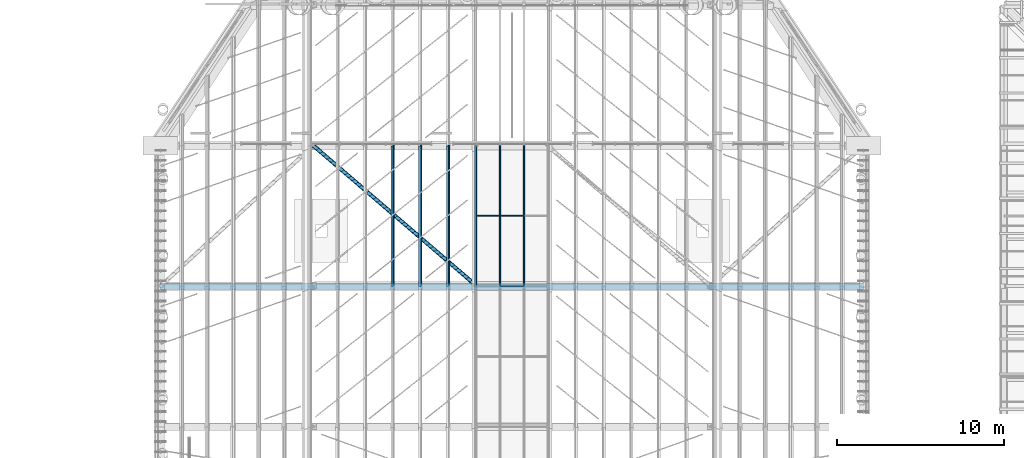
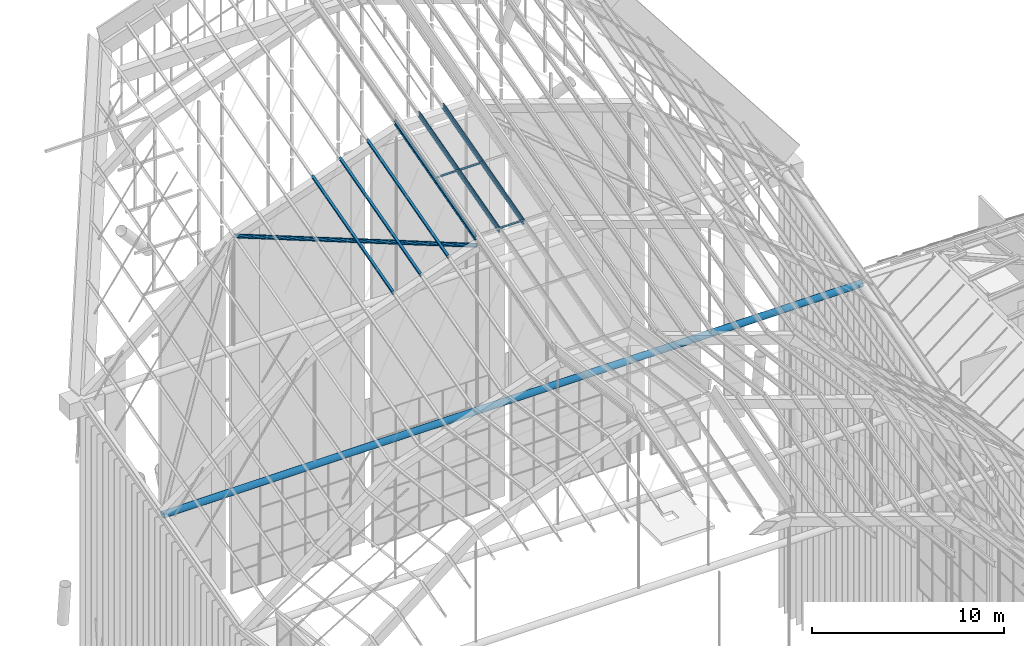
# One storey, part 53 of 126: 14 members.
"""IFC4 building model written with IfcOpenShell, lengths in metres."""

from ifc_helpers import new_model, si_unit, direction, frame, origin, origin_2d, place, context, subcontext, project, spatial, rectangle, hollow_circle, i_section, extrude, material, material_profile, profile_set, type_object, element, save


model = new_model("IFC4")

# Units and contexts
model_context = context("Model", 3, precision=1e-05, world=origin(), true_north=direction((0.0, 1.0)))
body_context = subcontext(model_context, "Body", "Model", "MODEL_VIEW")
ifc_project = project(units=[si_unit("LENGTHUNIT", "METRE"), si_unit("AREAUNIT", "SQUARE_METRE"), si_unit("VOLUMEUNIT", "CUBIC_METRE"), si_unit("PLANEANGLEUNIT", "RADIAN"), si_unit("MASSUNIT", "GRAM", prefix="KILO")], contexts=[model_context])

# Site, building, storey
site_placement = place(None, origin())
site = spatial("IfcSite", under=ifc_project, at=site_placement, CompositionType="ELEMENT")
building_placement = place(site_placement, origin())
building = spatial("IfcBuilding", under=site, at=building_placement, Name="Sava Quay Ferry Terminal", CompositionType="ELEMENT")
storey_placement = place(building_placement, frame((0.0, 0.0, 15.0)))
storey = spatial("IfcBuildingStorey", under=building, at=storey_placement, Name="L03", CompositionType="ELEMENT", Elevation=15.0)

# Members
ifc_material_1 = material(Name="Steel S355", Category="steel")
ifc_material_profile_1 = material_profile(ifc_material_1, hollow_circle(Radius=0.203125, WallThickness=0.01611328125, at=origin_2d()), Name="CHS 406.4 x 16.0")
ifc_profile_set_1 = profile_set([ifc_material_profile_1], Name="Steel S355")
member_type_1 = type_object("IfcMemberType", Name="D arch tie CHS 406.4x16", PredefinedType="USERDEFINED", material=ifc_profile_set_1)
member_1_placement = place(storey_placement, frame((42.0, 92.39990234375, 13.326904296875), z_axis=(1.0, 0.0, 0.0), x_axis=(0.0, 1.0, 0.0)))
element("IfcMember", 1, at=member_1_placement, inside=storey, type_object=member_type_1, Name="Departure hall arch tie R5", ObjectType="ARCH TIE", PredefinedType="USERDEFINED", context=body_context, shape_type="SweptSolid", body=[
    extrude(hollow_circle(Radius=0.203125, WallThickness=0.01611328125, at=origin_2d()), origin(), (0.0, 0.0, 1.0), 42.0),
])
ifc_material_2 = material(Name="Aluminium EN AW-6063 T6", Category="aluminium")
ifc_material_profile_2 = material_profile(ifc_material_2, rectangle(XDim=0.06005859375, YDim=0.06005859375, at=origin_2d()), Name="Bar 60 x 60")
ifc_profile_set_2 = profile_set([ifc_material_profile_2], Name="Aluminium EN AW-6063 T6")
member_type_2 = type_object("IfcMemberType", Name="Glazing bar 60x60", PredefinedType="USERDEFINED", material=ifc_profile_set_2)
for number, where, z_axis, x_axis, name in (
    (2, (60.85302734375, 92.39990234375, 24.4462890625), (0.0, 0.964555206992, 0.26388113359), (-1.0, 0.0, 0.0), "Departure hall glazing bar D-B5-GL2.0"),
    (3, (62.267578125, 92.39990234375, 24.4462890625), (0.0, 0.964555206992, 0.26388113359), (-1.0, 0.0, 0.0), "Departure hall glazing bar D-B5-GL2.1"),
    (4, (63.732421875, 92.39990234375, 24.4462890625), (0.0, 0.964555206992, 0.26388113359), (-1.0, 0.0, 0.0), "Departure hall glazing bar D-B5-GL2.2"),
):
    element("IfcMember", number, at=place(storey_placement, frame(where, z_axis=z_axis, x_axis=x_axis)), inside=storey, type_object=member_type_2, Name=name, ObjectType="GLAZING BAR", PredefinedType="USERDEFINED", context=body_context, shape_type="SweptSolid", body=[
        extrude(rectangle(XDim=0.06005859375, YDim=0.06005859375, at=origin_2d()), origin(), (0.0, 0.0, 1.0), 8.708740234375),
    ])
member_2_placement = place(storey_placement, frame((62.297607421875, 92.39990234375, 24.4462890625), z_axis=(1.0, 0.0, 0.0), x_axis=(0.0, 0.964556832817, 0.263875190699)))
element("IfcMember", 5, at=member_2_placement, inside=storey, type_object=member_type_2, Name="Departure hall glazing bar D-R5-GT2.1", ObjectType="GLAZING BAR", PredefinedType="USERDEFINED", context=body_context, shape_type="SweptSolid", body=[
    extrude(rectangle(XDim=0.06005859375, YDim=0.06005859375, at=origin_2d()), origin(), (0.0, 0.0, 1.0), 1.40478515625),
])
member_3_placement = place(storey_placement, frame((60.883056640625, 96.60009765625, 25.59521484375), z_axis=(1.0, 0.0, 0.0), x_axis=(0.0, 0.964556832817, 0.263875190699)))
element("IfcMember", 6, at=member_3_placement, inside=storey, type_object=member_type_2, Name="Departure hall glazing bar D-B5M-GT2.0", ObjectType="GLAZING BAR", PredefinedType="USERDEFINED", context=body_context, shape_type="SweptSolid", body=[
    extrude(rectangle(XDim=0.06005859375, YDim=0.06005859375, at=origin_2d()), origin(), (0.0, 0.0, 1.0), 1.3544921875),
])
member_4_placement = place(storey_placement, frame((62.297607421875, 96.60009765625, 25.59521484375), z_axis=(1.0, 0.0, 0.0), x_axis=(0.0, 0.964556832817, 0.263875190699)))
element("IfcMember", 7, at=member_4_placement, inside=storey, type_object=member_type_2, Name="Departure hall glazing bar D-B5M-GT2.1", ObjectType="GLAZING BAR", PredefinedType="USERDEFINED", context=body_context, shape_type="SweptSolid", body=[
    extrude(rectangle(XDim=0.06005859375, YDim=0.06005859375, at=origin_2d()), origin(), (0.0, 0.0, 1.0), 1.40478515625),
])
ifc_material_3 = material(Name="Steel S355", Category="steel")
ifc_material_profile_3 = material_profile(ifc_material_3, hollow_circle(Radius=0.122314453125, WallThickness=0.008056640625, at=origin_2d()), Name="CHS 244.5 x 8.0")
ifc_profile_set_3 = profile_set([ifc_material_profile_3], Name="Steel S355")
member_type_3 = type_object("IfcMemberType", Name="Roof brace CHS 244.5x8", PredefinedType="BRACE", material=ifc_profile_set_3)
member_5_placement = place(storey_placement, frame((60.89990234375, 92.39990234375, 23.82421875), z_axis=(-0.755681979948, 0.649726370236, -0.082464471149), x_axis=(-0.651946898046, -0.758264625397, 0.0)))
element("IfcMember", 8, at=member_5_placement, inside=storey, type_object=member_type_3, Name="Departure hall roof brace bay 6 panel 2", PredefinedType="BRACE", context=body_context, shape_type="SweptSolid", body=[
    extrude(hollow_circle(Radius=0.122314453125, WallThickness=0.008056640625, at=origin_2d()), origin(), (0.0, 0.0, 1.0), 12.9287109375),
])
ifc_material_4 = material(Name="Steel S355", Category="steel")
ifc_material_profile_4 = material_profile(ifc_material_4, i_section(OverallWidth=0.135009765625, OverallDepth=0.27001953125, WebThickness=0.006591796875, FlangeThickness=0.01025390625, at=origin_2d()), Name="IPE 270")
ifc_profile_set_4 = profile_set([ifc_material_profile_4], Name="Steel S355")
member_type_4 = type_object("IfcMemberType", Name="Roof purlin IPE 270", PredefinedType="PURLIN", material=ifc_profile_set_4)
for number, where, z_axis, x_axis, name in (
    (9, (55.87744140625, 92.39990234375, 22.570068359375), (0.0, 0.964562342049, 0.263855051686), (-0.949027169883, 0.083165601651, -0.304024527837), "Departure hall purlin bay 6 M1.3"),
    (10, (57.528076171875, 92.39990234375, 23.138427734375), (0.0, 0.964555206992, 0.26388113359), (-0.949027169883, 0.083173822518, -0.304022278908), "Departure hall purlin bay 6 M1.4"),
    (11, (59.178955078125, 92.39990234375, 23.706787109375), (0.0, 0.964555206992, 0.26388113359), (-0.949027169883, 0.083173822518, -0.304022278908), "Departure hall purlin bay 6 M1.5"),
    (12, (60.82958984375, 92.39990234375, 24.275146484375), (0.0, 0.964555206992, 0.26388113359), (-0.987174546341, 0.04212721186, -0.153986080789), "Departure hall purlin bay 6 V2"),
    (13, (62.276611328125, 92.39990234375, 24.275146484375), (0.0, 0.964555206992, 0.26388113359), (-1.0, 0.0, 0.0), "Departure hall purlin bay 6 M2.1"),
    (14, (63.723388671875, 92.39990234375, 24.275146484375), (0.0, 0.964555206992, 0.26388113359), (-1.0, 0.0, 0.0), "Departure hall purlin bay 6 M2.2"),
):
    element("IfcMember", number, at=place(storey_placement, frame(where, z_axis=z_axis, x_axis=x_axis)), inside=storey, type_object=member_type_4, Name=name, PredefinedType="PURLIN", context=body_context, shape_type="SweptSolid", body=[
        extrude(i_section(OverallWidth=0.135009765625, OverallDepth=0.27001953125, WebThickness=0.006591796875, FlangeThickness=0.01025390625, at=origin_2d()), origin(), (0.0, 0.0, 1.0), 8.708740234375),
    ])

save(model, "model.ifc")
